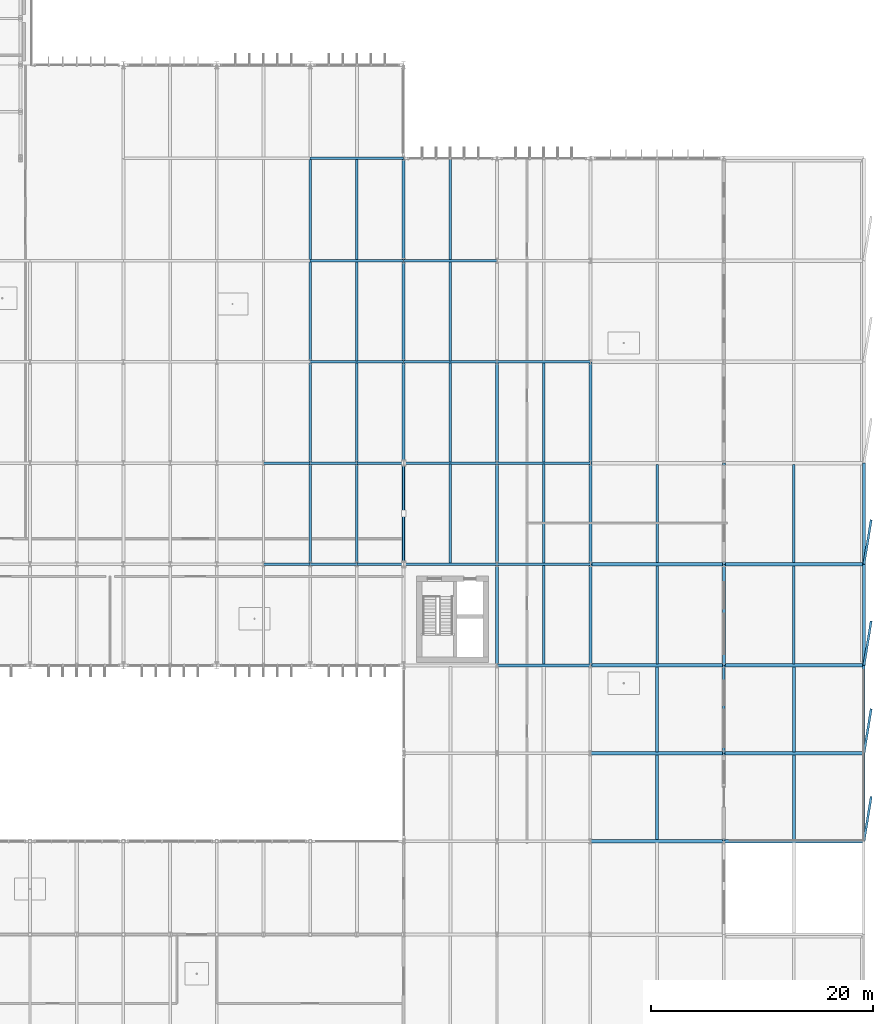
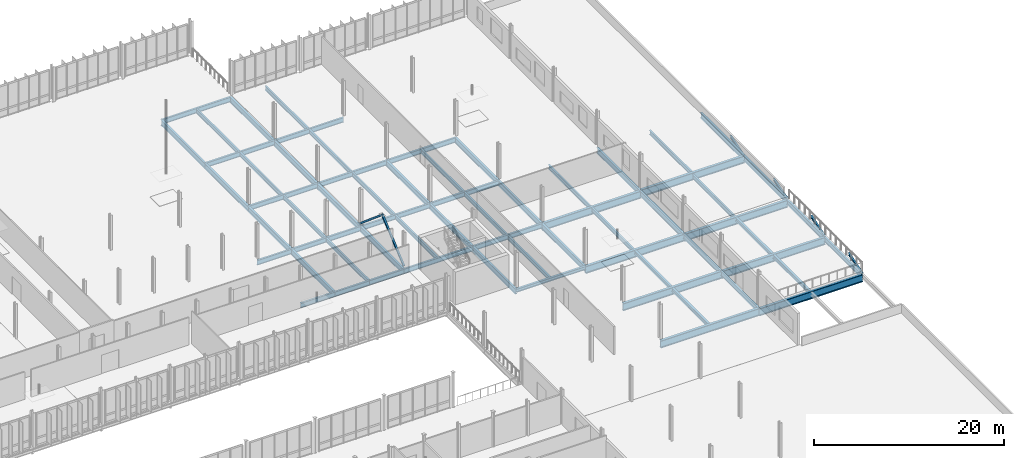
# One storey, part 77 of 139: 70 beams, 2 members.
"""IFC4 building model written with IfcOpenShell, lengths in metres."""

from ifc_helpers import new_model, si_unit, derived_unit, direction, frame, origin, origin_2d, place, context, subcontext, project, spatial, hollow_rectangle, i_section, extrude, material, material_profile, profile_set, type_object, element, save


model = new_model("IFC4")

# Units and contexts
model_context = context("Model", 3, precision=1e-05, world=origin(), true_north=direction((0.0, 1.0)))
body_context = subcontext(model_context, "Body", "Model", "MODEL_VIEW")
ifc_project = project(units=[si_unit("LENGTHUNIT", "METRE"), si_unit("AREAUNIT", "SQUARE_METRE"), si_unit("VOLUMEUNIT", "CUBIC_METRE"), si_unit("PLANEANGLEUNIT", "RADIAN"), si_unit("MASSUNIT", "GRAM", prefix="KILO"), derived_unit("THERMALTRANSMITTANCEUNIT", [(si_unit("MASSUNIT", "GRAM", prefix="KILO"), 1), (si_unit("TIMEUNIT", "SECOND"), -3), (si_unit("THERMODYNAMICTEMPERATUREUNIT", "KELVIN"), -1)])], contexts=[model_context])

# Site, building, storey
site_placement = place(None, origin())
site = spatial("IfcSite", under=ifc_project, at=site_placement, CompositionType="ELEMENT")
building_placement = place(site_placement, origin())
building = spatial("IfcBuilding", under=site, at=building_placement, Name="Makaiwela Harbour Ferry Terminal", CompositionType="ELEMENT")
storey_placement = place(building_placement, frame((0.0, 0.0, 5.10009765625)))
storey = spatial("IfcBuildingStorey", under=building, at=storey_placement, Name="L01", CompositionType="ELEMENT", Elevation=5.10009765625)

# Beams
ifc_material_1 = material(Name="Steel ASTM A992 Grade 50", Category="steel")
ifc_material_profile_1 = material_profile(ifc_material_1, i_section(OverallWidth=0.280029296875, OverallDepth=0.462890625, WebThickness=0.0107421875, FlangeThickness=0.017333984375, at=origin_2d()), Name="W18X76")
ifc_profile_set_1 = profile_set([ifc_material_profile_1], Name="Steel ASTM A992 Grade 50")
beam_type_1 = type_object("IfcBeamType", Name="STR-BM-W18X76", PredefinedType="BEAM", material=ifc_profile_set_1)
for number, where, z_axis, x_axis, name in (
    (1, (161.39990234375, 33.737060546875, -0.51171875), (0.0, 1.0, 0.0), (-1.0, 0.0, 0.0), "Secondary floor beam 1175"),
    (2, (161.39990234375, 41.636962890625, -0.51171875), (0.0, 1.0, 0.0), (-1.0, 0.0, 0.0), "Secondary floor beam 1176"),
    (3, (173.699951171875, 33.737060546875, -0.571533203125), (0.0, 1.0, 0.0), (-1.0, 0.0, 0.0), "Secondary floor beam 1186"),
    (4, (173.699951171875, 41.636962890625, -0.571533203125), (0.0, 1.0, 0.0), (-1.0, 0.0, 0.0), "Secondary floor beam 1187"),
):
    element("IfcBeam", number, at=place(storey_placement, frame(where, z_axis=z_axis, x_axis=x_axis)), inside=storey, type_object=beam_type_1, Name=name, PredefinedType="BEAM", context=body_context, shape_type="SweptSolid", body=[
        extrude(i_section(OverallWidth=0.280029296875, OverallDepth=0.462890625, WebThickness=0.0107421875, FlangeThickness=0.017333984375, at=origin_2d()), origin(), (0.0, 0.0, 1.0), 7.6259765625),
    ])
ifc_material_profile_2 = material_profile(ifc_material_1, i_section(OverallWidth=0.2099609375, OverallDepth=0.537109375, WebThickness=0.010986328125, FlangeThickness=0.017333984375, at=origin_2d()), Name="W21X68")
ifc_profile_set_2 = profile_set([ifc_material_profile_2], Name="Steel ASTM A992 Grade 50")
beam_type_2 = type_object("IfcBeamType", Name="STR-BM-W21X68", PredefinedType="BEAM", material=ifc_profile_set_2)
for number, where, z_axis, x_axis, name in (
    (5, (134.39990234375, 58.596435546875, -0.548583984375), (0.0, 1.0, 0.0), (-1.0, 0.0, 0.0), "Secondary floor beam 1145"),
    (6, (134.39990234375, 67.696533203125, -0.548583984375), (0.0, 1.0, 0.0), (-1.0, 0.0, 0.0), "Secondary floor beam 1146"),
):
    element("IfcBeam", number, at=place(storey_placement, frame(where, z_axis=z_axis, x_axis=x_axis)), inside=storey, type_object=beam_type_2, Name=name, PredefinedType="BEAM", context=body_context, shape_type="SweptSolid", body=[
        extrude(i_section(OverallWidth=0.2099609375, OverallDepth=0.537109375, WebThickness=0.010986328125, FlangeThickness=0.017333984375, at=origin_2d()), origin(), (0.0, 0.0, 1.0), 8.906982421875),
    ])
beam_1_placement = place(storey_placement, frame((134.39990234375, 76.79638671875, -0.548583984375), z_axis=(0.0, 1.0, 0.0), x_axis=(-1.0, 0.0, 0.0)))
element("IfcBeam", 7, at=beam_1_placement, inside=storey, type_object=beam_type_2, Name="Secondary floor beam 1147", PredefinedType="BEAM", context=body_context, shape_type="SweptSolid", body=[
    extrude(i_section(OverallWidth=0.2099609375, OverallDepth=0.537109375, WebThickness=0.010986328125, FlangeThickness=0.017333984375, at=origin_2d()), origin(), (0.0, 0.0, 1.0), 8.9072265625),
])
beam_2_placement = place(storey_placement, frame((134.39990234375, 85.896484375, -0.548583984375), z_axis=(0.0, 1.0, 0.0), x_axis=(-1.0, 0.0, 0.0)))
element("IfcBeam", 8, at=beam_2_placement, inside=storey, type_object=beam_type_2, Name="Secondary floor beam 1148", PredefinedType="BEAM", context=body_context, shape_type="SweptSolid", body=[
    extrude(i_section(OverallWidth=0.2099609375, OverallDepth=0.537109375, WebThickness=0.010986328125, FlangeThickness=0.017333984375, at=origin_2d()), origin(), (0.0, 0.0, 1.0), 9.007080078125),
])
for number, where, z_axis, x_axis, name in (
    (9, (142.800048828125, 58.596435546875, -0.548583984375), (0.0, 1.0, 0.0), (-1.0, 0.0, 0.0), "Secondary floor beam 1156"),
    (10, (142.800048828125, 67.696533203125, -0.548583984375), (0.0, 1.0, 0.0), (-1.0, 0.0, 0.0), "Secondary floor beam 1157"),
):
    element("IfcBeam", number, at=place(storey_placement, frame(where, z_axis=z_axis, x_axis=x_axis)), inside=storey, type_object=beam_type_2, Name=name, PredefinedType="BEAM", context=body_context, shape_type="SweptSolid", body=[
        extrude(i_section(OverallWidth=0.2099609375, OverallDepth=0.537109375, WebThickness=0.010986328125, FlangeThickness=0.017333984375, at=origin_2d()), origin(), (0.0, 0.0, 1.0), 8.906982421875),
    ])
beam_3_placement = place(storey_placement, frame((142.800048828125, 76.79638671875, -0.548583984375), z_axis=(0.0, 1.0, 0.0), x_axis=(-1.0, 0.0, 0.0)))
element("IfcBeam", 11, at=beam_3_placement, inside=storey, type_object=beam_type_2, Name="Secondary floor beam 1158", PredefinedType="BEAM", context=body_context, shape_type="SweptSolid", body=[
    extrude(i_section(OverallWidth=0.2099609375, OverallDepth=0.537109375, WebThickness=0.010986328125, FlangeThickness=0.017333984375, at=origin_2d()), origin(), (0.0, 0.0, 1.0), 8.9072265625),
])
beam_4_placement = place(storey_placement, frame((142.800048828125, 85.896484375, -0.548583984375), z_axis=(0.0, 1.0, 0.0), x_axis=(-1.0, 0.0, 0.0)))
element("IfcBeam", 12, at=beam_4_placement, inside=storey, type_object=beam_type_2, Name="Secondary floor beam 1159", PredefinedType="BEAM", context=body_context, shape_type="SweptSolid", body=[
    extrude(i_section(OverallWidth=0.2099609375, OverallDepth=0.537109375, WebThickness=0.010986328125, FlangeThickness=0.017333984375, at=origin_2d()), origin(), (0.0, 0.0, 1.0), 9.007080078125),
])
beam_5_placement = place(storey_placement, frame((151.199951171875, 49.514404296875, -0.548583984375), z_axis=(0.0, 1.0, 0.0), x_axis=(-1.0, 0.0, 0.0)))
element("IfcBeam", 13, at=beam_5_placement, inside=storey, type_object=beam_type_2, Name="Secondary floor beam 1166", PredefinedType="BEAM", context=body_context, shape_type="SweptSolid", body=[
    extrude(i_section(OverallWidth=0.2099609375, OverallDepth=0.537109375, WebThickness=0.010986328125, FlangeThickness=0.017333984375, at=origin_2d()), origin(), (0.0, 0.0, 1.0), 8.88916015625),
])
for number, where, z_axis, x_axis, name in (
    (14, (151.199951171875, 58.596435546875, -0.548583984375), (0.0, 1.0, 0.0), (-1.0, 0.0, 0.0), "Secondary floor beam 1167"),
    (15, (151.199951171875, 67.696533203125, -0.548583984375), (0.0, 1.0, 0.0), (-1.0, 0.0, 0.0), "Secondary floor beam 1168"),
):
    element("IfcBeam", number, at=place(storey_placement, frame(where, z_axis=z_axis, x_axis=x_axis)), inside=storey, type_object=beam_type_2, Name=name, PredefinedType="BEAM", context=body_context, shape_type="SweptSolid", body=[
        extrude(i_section(OverallWidth=0.2099609375, OverallDepth=0.537109375, WebThickness=0.010986328125, FlangeThickness=0.017333984375, at=origin_2d()), origin(), (0.0, 0.0, 1.0), 8.906982421875),
    ])
for number, where, z_axis, x_axis, name in (
    (16, (161.39990234375, 49.537109375, -0.548583984375), (0.0, 1.0, 0.0), (-1.0, 0.0, 0.0), "Secondary floor beam 1177"),
    (17, (161.39990234375, 58.636962890625, -0.548583984375), (0.0, 1.0, 0.0), (-1.0, 0.0, 0.0), "Secondary floor beam 1178"),
    (18, (173.699951171875, 49.537109375, -0.608642578125), (0.0, 1.0, 0.0), (-1.0, 0.0, 0.0), "Secondary floor beam 1188"),
    (19, (173.699951171875, 58.636962890625, -0.4287109375), (0.0, 1.0, 0.0), (-1.0, 0.0, 0.0), "Secondary floor beam 1189"),
):
    element("IfcBeam", number, at=place(storey_placement, frame(where, z_axis=z_axis, x_axis=x_axis)), inside=storey, type_object=beam_type_2, Name=name, PredefinedType="BEAM", context=body_context, shape_type="SweptSolid", body=[
        extrude(i_section(OverallWidth=0.2099609375, OverallDepth=0.537109375, WebThickness=0.010986328125, FlangeThickness=0.017333984375, at=origin_2d()), origin(), (0.0, 0.0, 1.0), 8.825927734375),
    ])

# Members
ifc_material_2 = material(Name="Steel ASTM A500 Grade C", Category="steel")
ifc_material_profile_3 = material_profile(ifc_material_2, hollow_rectangle(XDim=0.202880859375, YDim=0.202880859375, WallThickness=0.01171875, at=origin_2d()), Name="HSS8X8X1/2")
ifc_profile_set_3 = profile_set([ifc_material_profile_3], Name="Steel ASTM A500 Grade C")
member_type = type_object("IfcMemberType", Name="STR-BRC-HSS8", PredefinedType="BRACE", material=ifc_profile_set_3)
for number, where, z_axis, x_axis, name in (
    (20, (138.60009765625, 58.5, 0.0498046875), (0.0, 0.763927083047, 0.645302573827), (-1.0, 0.0, 0.0), "Lateral chevron brace 7A"),
    (21, (138.60009765625, 67.60009765625, 0.0498046875), (0.0, -0.763927083047, 0.645302573827), (1.0, 0.0, 0.0), "Lateral chevron brace 7B"),
):
    element("IfcMember", number, at=place(storey_placement, frame(where, z_axis=z_axis, x_axis=x_axis)), inside=storey, type_object=member_type, Name=name, PredefinedType="BRACE", context=body_context, shape_type="SweptSolid", body=[
        extrude(hollow_rectangle(XDim=0.202880859375, YDim=0.202880859375, WallThickness=0.01171875, at=origin_2d()), origin(), (0.0, 0.0, 1.0), 5.9560546875),
    ])

# Beams
ifc_material_profile_4 = material_profile(ifc_material_1, i_section(OverallWidth=0.22900390625, OverallDepth=0.612060546875, WebThickness=0.011962890625, FlangeThickness=0.01953125, at=origin_2d()), Name="W24X84")
ifc_profile_set_4 = profile_set([ifc_material_profile_4], Name="Steel ASTM A992 Grade 50")
beam_type_3 = type_object("IfcBeamType", Name="STR-GRD-W24X84", PredefinedType="USERDEFINED", material=ifc_profile_set_4)
for number, where, z_axis, x_axis, name in (
    (22, (126.0, 58.5, -0.586181640625), (1.0, 0.0, 0.0), (0.0, 1.0, 0.0), "Primary X girder 841"),
    (23, (130.199951171875, 58.5, -0.586181640625), (1.0, 0.0, 0.0), (0.0, 1.0, 0.0), "Primary X girder 842"),
):
    element("IfcBeam", number, at=place(storey_placement, frame(where, z_axis=z_axis, x_axis=x_axis)), inside=storey, type_object=beam_type_3, Name=name, ObjectType="GIRDER", PredefinedType="USERDEFINED", context=body_context, shape_type="SweptSolid", body=[
        extrude(i_section(OverallWidth=0.22900390625, OverallDepth=0.612060546875, WebThickness=0.011962890625, FlangeThickness=0.01953125, at=origin_2d()), origin(), (0.0, 0.0, 1.0), 4.199951171875),
    ])
beam_6_placement = place(storey_placement, frame((134.39990234375, 58.5, -0.586181640625), z_axis=(1.0, 0.0, 0.0), x_axis=(0.0, 1.0, 0.0)))
element("IfcBeam", 24, at=beam_6_placement, inside=storey, type_object=beam_type_3, Name="Primary X girder 843", ObjectType="GIRDER", PredefinedType="USERDEFINED", context=body_context, shape_type="SweptSolid", body=[
    extrude(i_section(OverallWidth=0.22900390625, OverallDepth=0.612060546875, WebThickness=0.011962890625, FlangeThickness=0.01953125, at=origin_2d()), origin(), (0.0, 0.0, 1.0), 4.2001953125),
])
for number, where, z_axis, x_axis, name in (
    (25, (138.60009765625, 58.5, -0.586181640625), (1.0, 0.0, 0.0), (0.0, 1.0, 0.0), "Primary X girder 844"),
    (26, (147.0, 58.5, -0.586181640625), (1.0, 0.0, 0.0), (0.0, 1.0, 0.0), "Primary X girder 845"),
):
    element("IfcBeam", number, at=place(storey_placement, frame(where, z_axis=z_axis, x_axis=x_axis)), inside=storey, type_object=beam_type_3, Name=name, ObjectType="GIRDER", PredefinedType="USERDEFINED", context=body_context, shape_type="SweptSolid", body=[
        extrude(i_section(OverallWidth=0.22900390625, OverallDepth=0.612060546875, WebThickness=0.011962890625, FlangeThickness=0.01953125, at=origin_2d()), origin(), (0.0, 0.0, 1.0), 8.39990234375),
    ])
for number, where, z_axis, x_axis, name in (
    (27, (126.0, 67.60009765625, -0.586181640625), (1.0, 0.0, 0.0), (0.0, 1.0, 0.0), "Primary X girder 860"),
    (28, (130.199951171875, 67.60009765625, -0.586181640625), (1.0, 0.0, 0.0), (0.0, 1.0, 0.0), "Primary X girder 861"),
):
    element("IfcBeam", number, at=place(storey_placement, frame(where, z_axis=z_axis, x_axis=x_axis)), inside=storey, type_object=beam_type_3, Name=name, ObjectType="GIRDER", PredefinedType="USERDEFINED", context=body_context, shape_type="SweptSolid", body=[
        extrude(i_section(OverallWidth=0.22900390625, OverallDepth=0.612060546875, WebThickness=0.011962890625, FlangeThickness=0.01953125, at=origin_2d()), origin(), (0.0, 0.0, 1.0), 4.199951171875),
    ])
beam_7_placement = place(storey_placement, frame((134.39990234375, 67.60009765625, -0.586181640625), z_axis=(1.0, 0.0, 0.0), x_axis=(0.0, 1.0, 0.0)))
element("IfcBeam", 29, at=beam_7_placement, inside=storey, type_object=beam_type_3, Name="Primary X girder 862", ObjectType="GIRDER", PredefinedType="USERDEFINED", context=body_context, shape_type="SweptSolid", body=[
    extrude(i_section(OverallWidth=0.22900390625, OverallDepth=0.612060546875, WebThickness=0.011962890625, FlangeThickness=0.01953125, at=origin_2d()), origin(), (0.0, 0.0, 1.0), 4.2001953125),
])
for number, where, z_axis, x_axis, name in (
    (30, (138.60009765625, 67.60009765625, -0.586181640625), (1.0, 0.0, 0.0), (0.0, 1.0, 0.0), "Primary X girder 863"),
    (31, (147.0, 67.60009765625, -0.586181640625), (1.0, 0.0, 0.0), (0.0, 1.0, 0.0), "Primary X girder 864"),
):
    element("IfcBeam", number, at=place(storey_placement, frame(where, z_axis=z_axis, x_axis=x_axis)), inside=storey, type_object=beam_type_3, Name=name, ObjectType="GIRDER", PredefinedType="USERDEFINED", context=body_context, shape_type="SweptSolid", body=[
        extrude(i_section(OverallWidth=0.22900390625, OverallDepth=0.612060546875, WebThickness=0.011962890625, FlangeThickness=0.01953125, at=origin_2d()), origin(), (0.0, 0.0, 1.0), 8.39990234375),
    ])
beam_8_placement = place(storey_placement, frame((130.199951171875, 76.699951171875, -0.586181640625), z_axis=(1.0, 0.0, 0.0), x_axis=(0.0, 1.0, 0.0)))
element("IfcBeam", 32, at=beam_8_placement, inside=storey, type_object=beam_type_3, Name="Primary X girder 875", ObjectType="GIRDER", PredefinedType="USERDEFINED", context=body_context, shape_type="SweptSolid", body=[
    extrude(i_section(OverallWidth=0.22900390625, OverallDepth=0.612060546875, WebThickness=0.011962890625, FlangeThickness=0.01953125, at=origin_2d()), origin(), (0.0, 0.0, 1.0), 8.400146484375),
])
for number, where, z_axis, x_axis, name in (
    (33, (138.60009765625, 76.699951171875, -0.586181640625), (1.0, 0.0, 0.0), (0.0, 1.0, 0.0), "Primary X girder 876"),
    (34, (147.0, 76.699951171875, -0.586181640625), (1.0, 0.0, 0.0), (0.0, 1.0, 0.0), "Primary X girder 877"),
):
    element("IfcBeam", number, at=place(storey_placement, frame(where, z_axis=z_axis, x_axis=x_axis)), inside=storey, type_object=beam_type_3, Name=name, ObjectType="GIRDER", PredefinedType="USERDEFINED", context=body_context, shape_type="SweptSolid", body=[
        extrude(i_section(OverallWidth=0.22900390625, OverallDepth=0.612060546875, WebThickness=0.011962890625, FlangeThickness=0.01953125, at=origin_2d()), origin(), (0.0, 0.0, 1.0), 8.39990234375),
    ])
beam_9_placement = place(storey_placement, frame((130.199951171875, 85.800048828125, -0.586181640625), z_axis=(1.0, 0.0, 0.0), x_axis=(0.0, 1.0, 0.0)))
element("IfcBeam", 35, at=beam_9_placement, inside=storey, type_object=beam_type_3, Name="Primary X girder 888", ObjectType="GIRDER", PredefinedType="USERDEFINED", context=body_context, shape_type="SweptSolid", body=[
    extrude(i_section(OverallWidth=0.22900390625, OverallDepth=0.612060546875, WebThickness=0.011962890625, FlangeThickness=0.01953125, at=origin_2d()), origin(), (0.0, 0.0, 1.0), 8.400146484375),
])
beam_10_placement = place(storey_placement, frame((138.60009765625, 85.800048828125, -0.586181640625), z_axis=(1.0, 0.0, 0.0), x_axis=(0.0, 1.0, 0.0)))
element("IfcBeam", 36, at=beam_10_placement, inside=storey, type_object=beam_type_3, Name="Primary X girder 889", ObjectType="GIRDER", PredefinedType="USERDEFINED", context=body_context, shape_type="SweptSolid", body=[
    extrude(i_section(OverallWidth=0.22900390625, OverallDepth=0.612060546875, WebThickness=0.011962890625, FlangeThickness=0.01953125, at=origin_2d()), origin(), (0.0, 0.0, 1.0), 8.39990234375),
])
beam_11_placement = place(storey_placement, frame((130.199951171875, 95.0, -0.586181640625), z_axis=(1.0, 0.0, 0.0), x_axis=(0.0, 1.0, 0.0)))
element("IfcBeam", 37, at=beam_11_placement, inside=storey, type_object=beam_type_3, Name="Primary X girder 897", ObjectType="GIRDER", PredefinedType="USERDEFINED", context=body_context, shape_type="SweptSolid", body=[
    extrude(i_section(OverallWidth=0.22900390625, OverallDepth=0.612060546875, WebThickness=0.011962890625, FlangeThickness=0.01953125, at=origin_2d()), origin(), (0.0, 0.0, 1.0), 8.400146484375),
])
for number, where, z_axis, x_axis, name in (
    (38, (167.39990234375, 33.60009765625, -0.586181640625), (0.0, 1.0, 0.0), (-1.0, 0.0, 0.0), "Primary Y girder 1045"),
    (39, (167.39990234375, 41.5, -0.586181640625), (0.0, 1.0, 0.0), (-1.0, 0.0, 0.0), "Primary Y girder 1046"),
    (40, (180.0, 33.60009765625, -0.64599609375), (0.0, 1.0, 0.0), (-1.0, 0.0, 0.0), "Primary Y girder 1056"),
    (41, (180.0, 41.5, -0.64599609375), (0.0, 1.0, 0.0), (-1.0, 0.0, 0.0), "Primary Y girder 1057"),
):
    element("IfcBeam", number, at=place(storey_placement, frame(where, z_axis=z_axis, x_axis=x_axis)), inside=storey, type_object=beam_type_3, Name=name, ObjectType="GIRDER", PredefinedType="USERDEFINED", context=body_context, shape_type="SweptSolid", body=[
        extrude(i_section(OverallWidth=0.22900390625, OverallDepth=0.612060546875, WebThickness=0.011962890625, FlangeThickness=0.01953125, at=origin_2d()), origin(), (0.0, 0.0, 1.0), 7.89990234375),
    ])
ifc_material_profile_5 = material_profile(ifc_material_1, i_section(OverallWidth=0.256103515625, OverallDepth=0.693115234375, WebThickness=0.014404296875, FlangeThickness=0.023681640625, at=origin_2d()), Name="W27X114")
ifc_profile_set_5 = profile_set([ifc_material_profile_5], Name="Steel ASTM A992 Grade 50")
beam_type_4 = type_object("IfcBeamType", Name="STR-GRD-W27X114", PredefinedType="USERDEFINED", material=ifc_profile_set_5)
beam_12_placement = place(storey_placement, frame((130.199951171875, 58.5, -0.626708984375), z_axis=(0.0, 1.0, 0.0), x_axis=(-1.0, 0.0, 0.0)))
element("IfcBeam", 42, at=beam_12_placement, inside=storey, type_object=beam_type_4, Name="Primary Y girder 1002", ObjectType="GIRDER", PredefinedType="USERDEFINED", context=body_context, shape_type="SweptSolid", body=[
    extrude(i_section(OverallWidth=0.256103515625, OverallDepth=0.693115234375, WebThickness=0.014404296875, FlangeThickness=0.023681640625, at=origin_2d()), origin(), (0.0, 0.0, 1.0), 9.10009765625),
])
beam_13_placement = place(storey_placement, frame((130.199951171875, 67.60009765625, -0.626708984375), z_axis=(0.0, 1.0, 0.0), x_axis=(-1.0, 0.0, 0.0)))
element("IfcBeam", 43, at=beam_13_placement, inside=storey, type_object=beam_type_4, Name="Primary Y girder 1003", ObjectType="GIRDER", PredefinedType="USERDEFINED", context=body_context, shape_type="SweptSolid", body=[
    extrude(i_section(OverallWidth=0.256103515625, OverallDepth=0.693115234375, WebThickness=0.014404296875, FlangeThickness=0.023681640625, at=origin_2d()), origin(), (0.0, 0.0, 1.0), 9.099853515625),
])
beam_14_placement = place(storey_placement, frame((130.199951171875, 76.699951171875, -0.626708984375), z_axis=(0.0, 1.0, 0.0), x_axis=(-1.0, 0.0, 0.0)))
element("IfcBeam", 44, at=beam_14_placement, inside=storey, type_object=beam_type_4, Name="Primary Y girder 1004", ObjectType="GIRDER", PredefinedType="USERDEFINED", context=body_context, shape_type="SweptSolid", body=[
    extrude(i_section(OverallWidth=0.256103515625, OverallDepth=0.693115234375, WebThickness=0.014404296875, FlangeThickness=0.023681640625, at=origin_2d()), origin(), (0.0, 0.0, 1.0), 9.10009765625),
])
beam_15_placement = place(storey_placement, frame((130.199951171875, 85.800048828125, -0.626708984375), z_axis=(0.0, 1.0, 0.0), x_axis=(-1.0, 0.0, 0.0)))
element("IfcBeam", 45, at=beam_15_placement, inside=storey, type_object=beam_type_4, Name="Primary Y girder 1005", ObjectType="GIRDER", PredefinedType="USERDEFINED", context=body_context, shape_type="SweptSolid", body=[
    extrude(i_section(OverallWidth=0.256103515625, OverallDepth=0.693115234375, WebThickness=0.014404296875, FlangeThickness=0.023681640625, at=origin_2d()), origin(), (0.0, 0.0, 1.0), 9.199951171875),
])
beam_16_placement = place(storey_placement, frame((138.60009765625, 58.5, -0.626708984375), z_axis=(0.0, 1.0, 0.0), x_axis=(-1.0, 0.0, 0.0)))
element("IfcBeam", 46, at=beam_16_placement, inside=storey, type_object=beam_type_4, Name="Primary Y girder 1014", ObjectType="GIRDER", PredefinedType="USERDEFINED", context=body_context, shape_type="SweptSolid", body=[
    extrude(i_section(OverallWidth=0.256103515625, OverallDepth=0.693115234375, WebThickness=0.014404296875, FlangeThickness=0.023681640625, at=origin_2d()), origin(), (0.0, 0.0, 1.0), 9.10009765625),
])
beam_17_placement = place(storey_placement, frame((138.60009765625, 67.60009765625, -0.626708984375), z_axis=(0.0, 1.0, 0.0), x_axis=(-1.0, 0.0, 0.0)))
element("IfcBeam", 47, at=beam_17_placement, inside=storey, type_object=beam_type_4, Name="Primary Y girder 1015", ObjectType="GIRDER", PredefinedType="USERDEFINED", context=body_context, shape_type="SweptSolid", body=[
    extrude(i_section(OverallWidth=0.256103515625, OverallDepth=0.693115234375, WebThickness=0.014404296875, FlangeThickness=0.023681640625, at=origin_2d()), origin(), (0.0, 0.0, 1.0), 9.099853515625),
])
beam_18_placement = place(storey_placement, frame((138.60009765625, 76.699951171875, -0.626708984375), z_axis=(0.0, 1.0, 0.0), x_axis=(-1.0, 0.0, 0.0)))
element("IfcBeam", 48, at=beam_18_placement, inside=storey, type_object=beam_type_4, Name="Primary Y girder 1016", ObjectType="GIRDER", PredefinedType="USERDEFINED", context=body_context, shape_type="SweptSolid", body=[
    extrude(i_section(OverallWidth=0.256103515625, OverallDepth=0.693115234375, WebThickness=0.014404296875, FlangeThickness=0.023681640625, at=origin_2d()), origin(), (0.0, 0.0, 1.0), 9.10009765625),
])
beam_19_placement = place(storey_placement, frame((138.60009765625, 85.800048828125, -0.626708984375), z_axis=(0.0, 1.0, 0.0), x_axis=(-1.0, 0.0, 0.0)))
element("IfcBeam", 49, at=beam_19_placement, inside=storey, type_object=beam_type_4, Name="Primary Y girder 1017", ObjectType="GIRDER", PredefinedType="USERDEFINED", context=body_context, shape_type="SweptSolid", body=[
    extrude(i_section(OverallWidth=0.256103515625, OverallDepth=0.693115234375, WebThickness=0.014404296875, FlangeThickness=0.023681640625, at=origin_2d()), origin(), (0.0, 0.0, 1.0), 9.199951171875),
])
for number, where, z_axis, x_axis, name in (
    (50, (147.0, 49.39990234375, -0.626708984375), (0.0, 1.0, 0.0), (-1.0, 0.0, 0.0), "Primary Y girder 1025"),
    (51, (147.0, 58.5, -0.626708984375), (0.0, 1.0, 0.0), (-1.0, 0.0, 0.0), "Primary Y girder 1026"),
):
    element("IfcBeam", number, at=place(storey_placement, frame(where, z_axis=z_axis, x_axis=x_axis)), inside=storey, type_object=beam_type_4, Name=name, ObjectType="GIRDER", PredefinedType="USERDEFINED", context=body_context, shape_type="SweptSolid", body=[
        extrude(i_section(OverallWidth=0.256103515625, OverallDepth=0.693115234375, WebThickness=0.014404296875, FlangeThickness=0.023681640625, at=origin_2d()), origin(), (0.0, 0.0, 1.0), 9.10009765625),
    ])
beam_20_placement = place(storey_placement, frame((147.0, 67.60009765625, -0.626708984375), z_axis=(0.0, 1.0, 0.0), x_axis=(-1.0, 0.0, 0.0)))
element("IfcBeam", 52, at=beam_20_placement, inside=storey, type_object=beam_type_4, Name="Primary Y girder 1027", ObjectType="GIRDER", PredefinedType="USERDEFINED", context=body_context, shape_type="SweptSolid", body=[
    extrude(i_section(OverallWidth=0.256103515625, OverallDepth=0.693115234375, WebThickness=0.014404296875, FlangeThickness=0.023681640625, at=origin_2d()), origin(), (0.0, 0.0, 1.0), 9.099853515625),
])
for number, where, z_axis, x_axis, name in (
    (53, (155.39990234375, 49.39990234375, -0.626708984375), (0.0, 1.0, 0.0), (-1.0, 0.0, 0.0), "Primary Y girder 1036"),
    (54, (155.39990234375, 58.5, -0.626708984375), (0.0, 1.0, 0.0), (-1.0, 0.0, 0.0), "Primary Y girder 1037"),
):
    element("IfcBeam", number, at=place(storey_placement, frame(where, z_axis=z_axis, x_axis=x_axis)), inside=storey, type_object=beam_type_4, Name=name, ObjectType="GIRDER", PredefinedType="USERDEFINED", context=body_context, shape_type="SweptSolid", body=[
        extrude(i_section(OverallWidth=0.256103515625, OverallDepth=0.693115234375, WebThickness=0.014404296875, FlangeThickness=0.023681640625, at=origin_2d()), origin(), (0.0, 0.0, 1.0), 9.10009765625),
    ])
beam_21_placement = place(storey_placement, frame((155.39990234375, 67.60009765625, -0.626708984375), z_axis=(0.0, 1.0, 0.0), x_axis=(-1.0, 0.0, 0.0)))
element("IfcBeam", 55, at=beam_21_placement, inside=storey, type_object=beam_type_4, Name="Primary Y girder 1038", ObjectType="GIRDER", PredefinedType="USERDEFINED", context=body_context, shape_type="SweptSolid", body=[
    extrude(i_section(OverallWidth=0.256103515625, OverallDepth=0.693115234375, WebThickness=0.014404296875, FlangeThickness=0.023681640625, at=origin_2d()), origin(), (0.0, 0.0, 1.0), 9.099853515625),
])
for number, where, z_axis, x_axis, name in (
    (56, (167.39990234375, 49.39990234375, -0.626708984375), (0.0, 1.0, 0.0), (-1.0, 0.0, 0.0), "Primary Y girder 1047"),
    (57, (167.39990234375, 58.5, -0.626708984375), (0.0, 1.0, 0.0), (-1.0, 0.0, 0.0), "Primary Y girder 1048"),
    (58, (180.0, 49.39990234375, -0.506591796875), (0.0, 1.0, 0.0), (-1.0, 0.0, 0.0), "Primary Y girder 1058"),
    (59, (180.0, 58.5, -0.506591796875), (0.0, 1.0, 0.0), (-1.0, 0.0, 0.0), "Primary Y girder 1059"),
):
    element("IfcBeam", number, at=place(storey_placement, frame(where, z_axis=z_axis, x_axis=x_axis)), inside=storey, type_object=beam_type_4, Name=name, ObjectType="GIRDER", PredefinedType="USERDEFINED", context=body_context, shape_type="SweptSolid", body=[
        extrude(i_section(OverallWidth=0.256103515625, OverallDepth=0.693115234375, WebThickness=0.014404296875, FlangeThickness=0.023681640625, at=origin_2d()), origin(), (0.0, 0.0, 1.0), 9.10009765625),
    ])
ifc_material_profile_6 = material_profile(ifc_material_1, i_section(OverallWidth=0.31005859375, OverallDepth=0.949951171875, WebThickness=0.0244140625, FlangeThickness=0.0439453125, at=origin_2d()), Name="W36X256")
ifc_profile_set_6 = profile_set([ifc_material_profile_6], Name="Steel ASTM A992 Grade 50")
beam_type_5 = type_object("IfcBeamType", Name="STR-GRD-W36X256", PredefinedType="USERDEFINED", material=ifc_profile_set_6)
beam_22_placement = place(storey_placement, frame((155.39990234375, 33.60009765625, -0.755126953125), z_axis=(1.0, 0.0, 0.0), x_axis=(0.0, 1.0, 0.0)))
element("IfcBeam", 60, at=beam_22_placement, inside=storey, type_object=beam_type_5, Name="Primary X girder 794", ObjectType="GIRDER", PredefinedType="USERDEFINED", context=body_context, shape_type="SweptSolid", body=[
    extrude(i_section(OverallWidth=0.31005859375, OverallDepth=0.949951171875, WebThickness=0.0244140625, FlangeThickness=0.0439453125, at=origin_2d()), origin(), (0.0, 0.0, 1.0), 12.0),
])
beam_23_placement = place(storey_placement, frame((167.39990234375, 33.60009765625, -0.815185546875), z_axis=(1.0, 0.0, 0.0), x_axis=(0.0, 1.0, 0.0)))
element("IfcBeam", 61, at=beam_23_placement, inside=storey, type_object=beam_type_5, Name="Primary X girder 795", ObjectType="GIRDER", PredefinedType="USERDEFINED", context=body_context, shape_type="SweptSolid", body=[
    extrude(i_section(OverallWidth=0.31005859375, OverallDepth=0.949951171875, WebThickness=0.0244140625, FlangeThickness=0.0439453125, at=origin_2d()), origin(), (0.0, 0.0, 1.0), 12.60009765625),
])
beam_24_placement = place(storey_placement, frame((155.39990234375, 41.5, -0.755126953125), z_axis=(1.0, 0.0, 0.0), x_axis=(0.0, 1.0, 0.0)))
element("IfcBeam", 62, at=beam_24_placement, inside=storey, type_object=beam_type_5, Name="Primary X girder 803", ObjectType="GIRDER", PredefinedType="USERDEFINED", context=body_context, shape_type="SweptSolid", body=[
    extrude(i_section(OverallWidth=0.31005859375, OverallDepth=0.949951171875, WebThickness=0.0244140625, FlangeThickness=0.0439453125, at=origin_2d()), origin(), (0.0, 0.0, 1.0), 12.0),
])
beam_25_placement = place(storey_placement, frame((167.39990234375, 41.5, -0.815185546875), z_axis=(1.0, 0.0, 0.0), x_axis=(0.0, 1.0, 0.0)))
element("IfcBeam", 63, at=beam_25_placement, inside=storey, type_object=beam_type_5, Name="Primary X girder 804", ObjectType="GIRDER", PredefinedType="USERDEFINED", context=body_context, shape_type="SweptSolid", body=[
    extrude(i_section(OverallWidth=0.31005859375, OverallDepth=0.949951171875, WebThickness=0.0244140625, FlangeThickness=0.0439453125, at=origin_2d()), origin(), (0.0, 0.0, 1.0), 12.60009765625),
])
beam_26_placement = place(storey_placement, frame((155.39990234375, 49.39990234375, -0.755126953125), z_axis=(1.0, 0.0, 0.0), x_axis=(0.0, 1.0, 0.0)))
element("IfcBeam", 64, at=beam_26_placement, inside=storey, type_object=beam_type_5, Name="Primary X girder 827", ObjectType="GIRDER", PredefinedType="USERDEFINED", context=body_context, shape_type="SweptSolid", body=[
    extrude(i_section(OverallWidth=0.31005859375, OverallDepth=0.949951171875, WebThickness=0.0244140625, FlangeThickness=0.0439453125, at=origin_2d()), origin(), (0.0, 0.0, 1.0), 12.0),
])
beam_27_placement = place(storey_placement, frame((167.39990234375, 49.39990234375, -0.815185546875), z_axis=(1.0, 0.0, 0.0), x_axis=(0.0, 1.0, 0.0)))
element("IfcBeam", 65, at=beam_27_placement, inside=storey, type_object=beam_type_5, Name="Primary X girder 828", ObjectType="GIRDER", PredefinedType="USERDEFINED", context=body_context, shape_type="SweptSolid", body=[
    extrude(i_section(OverallWidth=0.31005859375, OverallDepth=0.949951171875, WebThickness=0.0244140625, FlangeThickness=0.0439453125, at=origin_2d()), origin(), (0.0, 0.0, 1.0), 12.60009765625),
])
beam_28_placement = place(storey_placement, frame((155.39990234375, 58.5, -0.755126953125), z_axis=(1.0, 0.0, 0.0), x_axis=(0.0, 1.0, 0.0)))
element("IfcBeam", 66, at=beam_28_placement, inside=storey, type_object=beam_type_5, Name="Primary X girder 846", ObjectType="GIRDER", PredefinedType="USERDEFINED", context=body_context, shape_type="SweptSolid", body=[
    extrude(i_section(OverallWidth=0.31005859375, OverallDepth=0.949951171875, WebThickness=0.0244140625, FlangeThickness=0.0439453125, at=origin_2d()), origin(), (0.0, 0.0, 1.0), 12.0),
])
beam_29_placement = place(storey_placement, frame((167.39990234375, 58.5, -0.635009765625), z_axis=(1.0, 0.0, 0.0), x_axis=(0.0, 1.0, 0.0)))
element("IfcBeam", 67, at=beam_29_placement, inside=storey, type_object=beam_type_5, Name="Primary X girder 847", ObjectType="GIRDER", PredefinedType="USERDEFINED", context=body_context, shape_type="SweptSolid", body=[
    extrude(i_section(OverallWidth=0.31005859375, OverallDepth=0.949951171875, WebThickness=0.0244140625, FlangeThickness=0.0439453125, at=origin_2d()), origin(), (0.0, 0.0, 1.0), 12.60009765625),
])
ifc_material_profile_7 = material_profile(ifc_material_1, i_section(OverallWidth=0.205078125, OverallDepth=0.31005859375, WebThickness=0.009521484375, FlangeThickness=0.016357421875, at=origin_2d()), Name="W12X50")
ifc_profile_set_7 = profile_set([ifc_material_profile_7], Name="Steel ASTM A992 Grade 50")
beam_type_6 = type_object("IfcBeamType", Name="STR-LNT-W12X50", PredefinedType="LINTEL", material=ifc_profile_set_7)
for number, where, z_axis, x_axis, name in (
    (68, (180.64990234375, 37.60009765625, -0.400146484375), (-0.160372591239, -0.987056549535, 0.0), (0.987056549535, -0.160372591239, 0.0), "Structural Beam LN-01"),
    (69, (180.64990234375, 45.5, -0.400146484375), (-0.160372591239, -0.987056549535, 0.0), (0.987056549535, -0.160372591239, 0.0), "Structural Beam LN-01"),
    (70, (180.64990234375, 53.39990234375, -0.400146484375), (-0.160372591239, -0.987056549535, 0.0), (0.987056549535, -0.160372591239, 0.0), "Structural Beam LN-01"),
    (71, (180.64990234375, 62.5, -0.400146484375), (-0.160372591239, -0.987056549535, 0.0), (0.987056549535, -0.160372591239, 0.0), "Structural Beam LN-01"),
):
    element("IfcBeam", number, at=place(storey_placement, frame(where, z_axis=z_axis, x_axis=x_axis)), inside=storey, type_object=beam_type_6, Name=name, PredefinedType="LINTEL", context=body_context, shape_type="SweptSolid", body=[
        extrude(i_section(OverallWidth=0.205078125, OverallDepth=0.31005859375, WebThickness=0.009521484375, FlangeThickness=0.016357421875, at=origin_2d()), origin(), (0.0, 0.0, 1.0), 4.052490234375),
    ])
ifc_material_profile_8 = material_profile(ifc_material_1, i_section(OverallWidth=0.264892578125, OverallDepth=0.430908203125, WebThickness=0.014892578125, FlangeThickness=0.02490234375, at=origin_2d()), Name="W16X100")
ifc_profile_set_8 = profile_set([ifc_material_profile_8], Name="Steel ASTM A992 Grade 50")
beam_type_7 = type_object("IfcBeamType", Name="STR-SPN-W16X100", PredefinedType="SPANDREL", material=ifc_profile_set_8)
beam_30_placement = place(storey_placement, frame((147.0, 49.39990234375, -0.49560546875), z_axis=(1.0, 0.0, 0.0), x_axis=(0.0, 1.0, 0.0)))
element("IfcBeam", 72, at=beam_30_placement, inside=storey, type_object=beam_type_7, Name="Primary X girder 826", PredefinedType="SPANDREL", context=body_context, shape_type="SweptSolid", body=[
    extrude(i_section(OverallWidth=0.264892578125, OverallDepth=0.430908203125, WebThickness=0.014892578125, FlangeThickness=0.02490234375, at=origin_2d()), origin(), (0.0, 0.0, 1.0), 8.39990234375),
])

save(model, "model.ifc")
